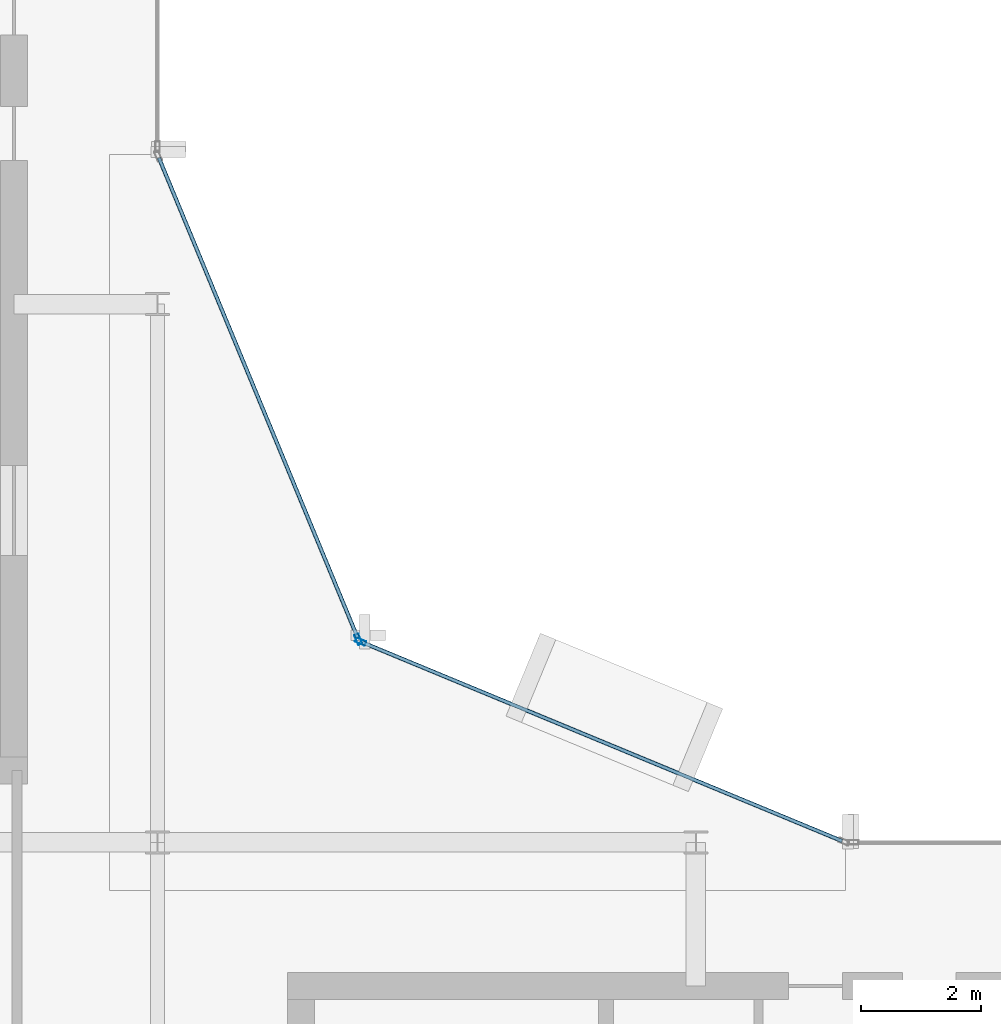
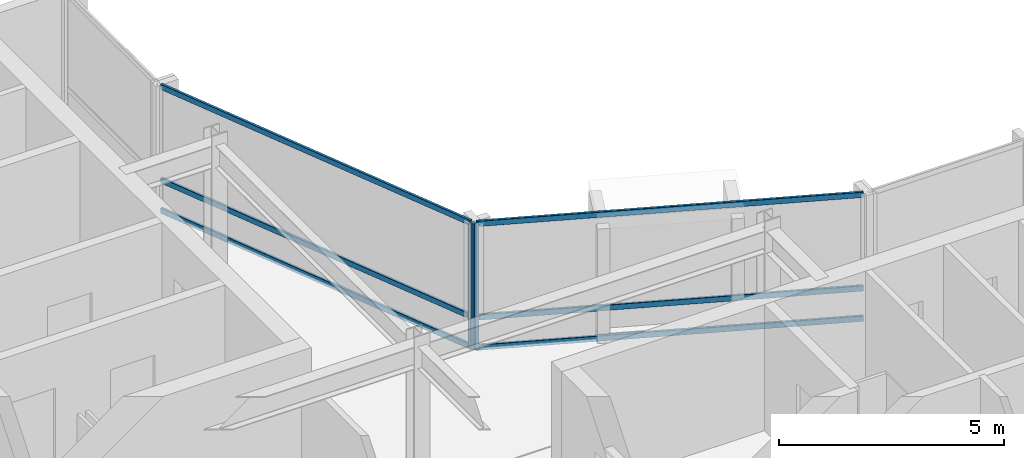
# One storey, part 8 of 19: 8 members, 2 elements without a shape of their own.
"""IFC4 building model written with IfcOpenShell, lengths in metres."""

from ifc_helpers import new_model, si_unit, direction, frame, origin, origin_2d, place, context, subcontext, project, spatial, hollow_rectangle, extrude, material, layer, layer_set, material_profile, profile_set, type_object, element, aggregate, save


model = new_model("IFC4")

# Units and contexts
model_context = context("Model", 3, precision=1e-05, world=origin(), true_north=direction((0.0, 1.0)))
body_context = subcontext(model_context, "Body", "Model", "MODEL_VIEW")
ifc_project = project(units=[si_unit("LENGTHUNIT", "METRE"), si_unit("AREAUNIT", "SQUARE_METRE"), si_unit("VOLUMEUNIT", "CUBIC_METRE"), si_unit("PLANEANGLEUNIT", "RADIAN"), si_unit("MASSUNIT", "GRAM", prefix="KILO")], contexts=[model_context])

# Site, building, storey
site_placement = place(None, origin())
site = spatial("IfcSite", under=ifc_project, at=site_placement, CompositionType="ELEMENT")
building_placement = place(site_placement, origin())
building = spatial("IfcBuilding", under=site, at=building_placement, Name="Solvaryn Broadcast Tower", CompositionType="ELEMENT")
storey_placement = place(building_placement, frame((0.0, 0.0, 263.0)))
storey = spatial("IfcBuildingStorey", under=building, at=storey_placement, Name="L66", CompositionType="ELEMENT", Elevation=263.0)

# Curtain wall, member
ifc_material_1 = material(Name="Aluminium and Terracotta Unitised Curtain Wall", Category="masonry")
ifc_layer = layer(ifc_material_1, 0.199951171875)
ifc_layer_set = layer_set([ifc_layer], Name="CW-SYS2-LOWMID")
curtain_wall_type = type_object("IfcCurtainWallType", Name="CW-SYS2-LOWMID", PredefinedType="NOTDEFINED", material=ifc_layer_set)
curtain_wall_1_placement = place(storey_placement, origin())
curtain_wall_1 = element("IfcCurtainWall", 1, at=curtain_wall_1_placement, inside=storey, type_object=curtain_wall_type, Name="L66 Curtain Wall CN1", PredefinedType="NOTDEFINED")
ifc_material_2 = material(Name="Anodised Aluminium 6063-T6", Category="aluminium")
ifc_material_profile_1 = material_profile(ifc_material_2, hollow_rectangle(XDim=0.074951171875, YDim=0.179931640625, WallThickness=0.00390625, InnerFilletRadius=0.00390625, OuterFilletRadius=0.008056640625, at=origin_2d()))
ifc_profile_set_1 = profile_set([ifc_material_profile_1], Name="Anodised Aluminium 6063-T6")
member_type_1 = type_object("IfcMemberType", Name="CW-MUL-180", PredefinedType="MULLION", material=ifc_profile_set_1)
member_1_placement = place(storey_placement, frame((30.395751953125, 30.3564453125, 0.0), z_axis=(0.0, 0.0, 1.0), x_axis=(-0.382646127145, -0.923894983957, 0.0)))
member_1 = element("IfcMember", 2, at=member_1_placement, type_object=member_type_1, Name="CWS2 mullion 2", PredefinedType="MULLION", context=body_context, shape_type="SweptSolid", body=[
    extrude(hollow_rectangle(XDim=0.074951171875, YDim=0.179931640625, WallThickness=0.00390625, InnerFilletRadius=0.00390625, OuterFilletRadius=0.008056640625, at=origin_2d()), origin(), (0.0, 0.0, 1.0), 3.419921875),
])

curtain_wall_2_placement = place(storey_placement, origin())
curtain_wall_2 = element("IfcCurtainWall", 3, at=curtain_wall_2_placement, inside=storey, type_object=curtain_wall_type, Name="L66 Curtain Wall CN2", PredefinedType="NOTDEFINED")
member_2_placement = place(storey_placement, frame((30.3564453125, 30.395751953125, 0.0), z_axis=(0.0, 0.0, 1.0), x_axis=(-0.923894983957, -0.382646127145, 0.0)))
member_2 = element("IfcMember", 4, at=member_2_placement, type_object=member_type_1, Name="CWS2 mullion 1", PredefinedType="MULLION", context=body_context, shape_type="SweptSolid", body=[
    extrude(hollow_rectangle(XDim=0.074951171875, YDim=0.179931640625, WallThickness=0.00390625, InnerFilletRadius=0.00390625, OuterFilletRadius=0.008056640625, at=origin_2d()), origin(), (0.0, 0.0, 1.0), 3.419921875),
])

# Member
ifc_material_3 = material(Name="Anodised Aluminium 6063-T6", Category="aluminium")
ifc_material_profile_2 = material_profile(ifc_material_3, hollow_rectangle(XDim=0.06494140625, YDim=0.14990234375, WallThickness=0.00390625, InnerFilletRadius=0.00390625, OuterFilletRadius=0.008056640625, at=origin_2d()))
ifc_profile_set_2 = profile_set([ifc_material_profile_2], Name="Anodised Aluminium 6063-T6")
member_type_2 = type_object("IfcMemberType", Name="CW-TRN-150", PredefinedType="USERDEFINED", material=ifc_profile_set_2)
member_3_placement = place(storey_placement, frame((38.444580078125, 27.02294921875, 0.030029296875), z_axis=(-0.923899282177, 0.382635748975, 0.0), x_axis=(-0.382635748975, -0.923899282177, 0.0)))
member_3 = element("IfcMember", 5, at=member_3_placement, type_object=member_type_2, Name="CWS2 transom 1.1", ObjectType="TRANSOM", PredefinedType="USERDEFINED", context=body_context, shape_type="SweptSolid", body=[
    extrude(hollow_rectangle(XDim=0.06494140625, YDim=0.14990234375, WallThickness=0.00390625, InnerFilletRadius=0.00390625, OuterFilletRadius=0.008056640625, at=origin_2d()), origin(), (0.0, 0.0, 1.0), 8.681884765625),
])

member_4_placement = place(storey_placement, frame((38.444580078125, 27.02294921875, 0.85009765625), z_axis=(-0.923899282177, 0.382635748975, 0.0), x_axis=(-0.382635748975, -0.923899282177, 0.0)))
member_4 = element("IfcMember", 6, at=member_4_placement, type_object=member_type_2, Name="CWS2 transom 1.2", ObjectType="TRANSOM", PredefinedType="USERDEFINED", context=body_context, shape_type="SweptSolid", body=[
    extrude(hollow_rectangle(XDim=0.06494140625, YDim=0.14990234375, WallThickness=0.00390625, InnerFilletRadius=0.00390625, OuterFilletRadius=0.008056640625, at=origin_2d()), origin(), (0.0, 0.0, 1.0), 8.681884765625),
])

member_5_placement = place(storey_placement, frame((38.444580078125, 27.02294921875, 3.389892578125), z_axis=(-0.923899282177, 0.382635748975, 0.0), x_axis=(-0.382635748975, -0.923899282177, 0.0)))
member_5 = element("IfcMember", 7, at=member_5_placement, type_object=member_type_2, Name="CWS2 transom 1.3", ObjectType="TRANSOM", PredefinedType="USERDEFINED", context=body_context, shape_type="SweptSolid", body=[
    extrude(hollow_rectangle(XDim=0.06494140625, YDim=0.14990234375, WallThickness=0.00390625, InnerFilletRadius=0.00390625, OuterFilletRadius=0.008056640625, at=origin_2d()), origin(), (0.0, 0.0, 1.0), 8.681884765625),
])

aggregate(curtain_wall_1, [member_1, member_3, member_4, member_5])

member_6_placement = place(storey_placement, frame((30.344970703125, 30.42333984375, 0.030029296875), z_axis=(-0.382635748975, 0.923899282177, 0.0), x_axis=(-0.923899282177, -0.382635748975, 0.0)))
member_6 = element("IfcMember", 8, at=member_6_placement, type_object=member_type_2, Name="CWS2 transom 1.1", ObjectType="TRANSOM", PredefinedType="USERDEFINED", context=body_context, shape_type="SweptSolid", body=[
    extrude(hollow_rectangle(XDim=0.06494140625, YDim=0.14990234375, WallThickness=0.00390625, InnerFilletRadius=0.00390625, OuterFilletRadius=0.008056640625, at=origin_2d()), origin(), (0.0, 0.0, 1.0), 8.681884765625),
])

member_7_placement = place(storey_placement, frame((30.344970703125, 30.42333984375, 0.85009765625), z_axis=(-0.382635748975, 0.923899282177, 0.0), x_axis=(-0.923899282177, -0.382635748975, 0.0)))
member_7 = element("IfcMember", 9, at=member_7_placement, type_object=member_type_2, Name="CWS2 transom 1.2", ObjectType="TRANSOM", PredefinedType="USERDEFINED", context=body_context, shape_type="SweptSolid", body=[
    extrude(hollow_rectangle(XDim=0.06494140625, YDim=0.14990234375, WallThickness=0.00390625, InnerFilletRadius=0.00390625, OuterFilletRadius=0.008056640625, at=origin_2d()), origin(), (0.0, 0.0, 1.0), 8.681884765625),
])

member_8_placement = place(storey_placement, frame((30.344970703125, 30.42333984375, 3.389892578125), z_axis=(-0.382635748975, 0.923899282177, 0.0), x_axis=(-0.923899282177, -0.382635748975, 0.0)))
member_8 = element("IfcMember", 10, at=member_8_placement, type_object=member_type_2, Name="CWS2 transom 1.3", ObjectType="TRANSOM", PredefinedType="USERDEFINED", context=body_context, shape_type="SweptSolid", body=[
    extrude(hollow_rectangle(XDim=0.06494140625, YDim=0.14990234375, WallThickness=0.00390625, InnerFilletRadius=0.00390625, OuterFilletRadius=0.008056640625, at=origin_2d()), origin(), (0.0, 0.0, 1.0), 8.681884765625),
])

aggregate(curtain_wall_2, [member_2, member_6, member_7, member_8])

save(model, "model.ifc")
